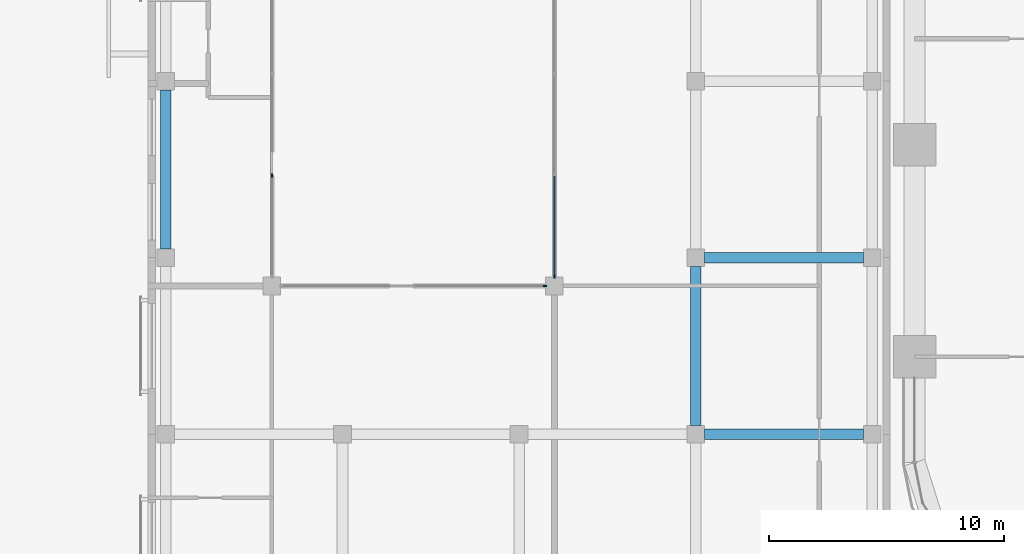
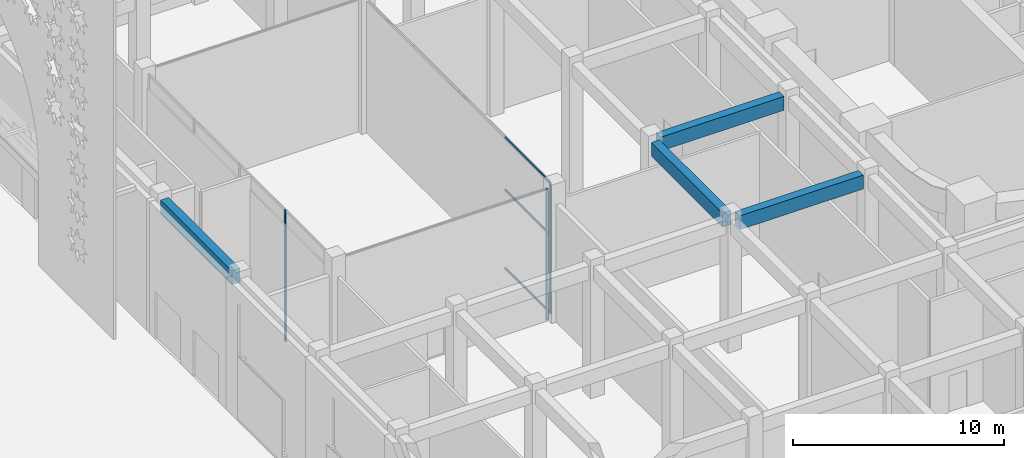
# One storey, part 8 of 64: 6 members, 4 beams, 3 elements without a shape of their own.
"""IFC4 building model written with IfcOpenShell, lengths in metres."""

from ifc_helpers import new_model, si_unit, direction, frame, origin, origin_2d, place, context, subcontext, project, spatial, rectangle, extrude, material, layer, layer_set, material_profile, profile_set, type_object, element, aggregate, save


model = new_model("IFC4")

# Units and contexts
model_context = context("Model", 3, precision=1e-05, world=origin(), true_north=direction((0.0, 1.0)))
body_context = subcontext(model_context, "Body", "Model", "MODEL_VIEW")
ifc_project = project(units=[si_unit("LENGTHUNIT", "METRE"), si_unit("AREAUNIT", "SQUARE_METRE"), si_unit("VOLUMEUNIT", "CUBIC_METRE"), si_unit("PLANEANGLEUNIT", "RADIAN"), si_unit("MASSUNIT", "GRAM", prefix="KILO")], contexts=[model_context])

# Site, building, storey
site_placement = place(None, origin())
site = spatial("IfcSite", under=ifc_project, at=site_placement, CompositionType="ELEMENT")
building_placement = place(site_placement, origin())
building = spatial("IfcBuilding", under=site, at=building_placement, Name="Tessera Arch", CompositionType="ELEMENT")
storey_placement = place(building_placement, origin())
storey = spatial("IfcBuildingStorey", under=building, at=storey_placement, Name="L00", CompositionType="ELEMENT", Elevation=0.0)

# Curtain wall, member
ifc_material_1 = material(Name="Aluminium and clear glass", Category="aluminium")
ifc_layer = layer(ifc_material_1, 0.1201171875)
ifc_layer_set = layer_set([ifc_layer], Name="Courtyard curtain wall")
curtain_wall_type = type_object("IfcCurtainWallType", Name="Courtyard curtain wall", PredefinedType="NOTDEFINED", material=ifc_layer_set)
curtain_wall_1_placement = place(storey_placement, origin())
curtain_wall_1 = element("IfcCurtainWall", 1, at=curtain_wall_1_placement, inside=storey, type_object=curtain_wall_type, Name="Courtyard curtain wall L00 1", PredefinedType="NOTDEFINED")
ifc_material_2 = material(Name="Aluminium alloy anodised", Category="aluminium")
ifc_material_profile_1 = material_profile(ifc_material_2, rectangle(XDim=0.06005859375, YDim=0.14990234375, at=origin_2d()), Name="Courtyard mullion")
ifc_profile_set_1 = profile_set([ifc_material_profile_1], Name="Aluminium alloy anodised")
member_type_1 = type_object("IfcMemberType", Name="Courtyard mullion", PredefinedType="MULLION", material=ifc_profile_set_1)
member_1_placement = place(storey_placement, frame((-15.705078125, 12.0, 0.0), z_axis=(0.0, 0.0, 1.0), x_axis=(0.0, 1.0, 0.0)))
member_1 = element("IfcMember", 2, at=member_1_placement, type_object=member_type_1, Name="MCW1 mullion 3", PredefinedType="MULLION", context=body_context, shape_type="SweptSolid", body=[
    extrude(rectangle(XDim=0.06005859375, YDim=0.14990234375, at=origin_2d()), origin(), (0.0, 0.0, 1.0), 7.590087890625),
])
aggregate(curtain_wall_1, [member_1])

curtain_wall_2_placement = place(storey_placement, origin())
curtain_wall_2 = element("IfcCurtainWall", 3, at=curtain_wall_2_placement, inside=storey, type_object=curtain_wall_type, Name="Courtyard curtain wall L00 2", PredefinedType="NOTDEFINED")
member_2_placement = place(storey_placement, frame((-15.300048828125, 12.405029296875, 0.0), z_axis=(0.0, 0.0, 1.0), x_axis=(-1.0, 0.0, 0.0)))
member_2 = element("IfcMember", 4, at=member_2_placement, type_object=member_type_1, Name="MCW1 mullion 1", PredefinedType="MULLION", context=body_context, shape_type="SweptSolid", body=[
    extrude(rectangle(XDim=0.06005859375, YDim=0.14990234375, at=origin_2d()), origin(), (0.0, 0.0, 1.0), 7.590087890625),
])

curtain_wall_3_placement = place(storey_placement, origin())
curtain_wall_3 = element("IfcCurtainWall", 5, at=curtain_wall_3_placement, inside=storey, type_object=curtain_wall_type, Name="Courtyard curtain wall L00 4", PredefinedType="NOTDEFINED")
member_3_placement = place(storey_placement, frame((-27.300048828125, 16.6875, 0.0), z_axis=(0.0, 0.0, 1.0), x_axis=(1.0, 0.0, 0.0)))
member_3 = element("IfcMember", 6, at=member_3_placement, type_object=member_type_1, Name="MCW1 mullion 4", PredefinedType="MULLION", context=body_context, shape_type="SweptSolid", body=[
    extrude(rectangle(XDim=0.06005859375, YDim=0.14990234375, at=origin_2d()), origin(), (0.0, 0.0, 1.0), 7.590087890625),
])
aggregate(curtain_wall_3, [member_3])

# Member
ifc_material_3 = material(Name="Aluminium alloy anodised", Category="aluminium")
ifc_material_profile_2 = material_profile(ifc_material_3, rectangle(XDim=0.06005859375, YDim=0.1201171875, at=origin_2d()), Name="Courtyard transom")
ifc_profile_set_2 = profile_set([ifc_material_profile_2], Name="Aluminium alloy anodised")
member_type_2 = type_object("IfcMemberType", Name="Courtyard transom", PredefinedType="USERDEFINED", material=ifc_profile_set_2)
member_4_placement = place(storey_placement, frame((-15.300048828125, 12.43505859375, 0.030029296875), z_axis=(0.0, 1.0, 0.0), x_axis=(-1.0, 0.0, 0.0)))
member_4 = element("IfcMember", 7, at=member_4_placement, type_object=member_type_2, Name="MCW1 transom 1.1", ObjectType="TRANSOM", PredefinedType="USERDEFINED", context=body_context, shape_type="SweptSolid", body=[
    extrude(rectangle(XDim=0.06005859375, YDim=0.1201171875, at=origin_2d()), origin(), (0.0, 0.0, 1.0), 4.222412109375),
])

member_5_placement = place(storey_placement, frame((-15.300048828125, 12.43505859375, 4.553955078125), z_axis=(0.0, 1.0, 0.0), x_axis=(-1.0, 0.0, 0.0)))
member_5 = element("IfcMember", 8, at=member_5_placement, type_object=member_type_2, Name="MCW1 transom 1.2", ObjectType="TRANSOM", PredefinedType="USERDEFINED", context=body_context, shape_type="SweptSolid", body=[
    extrude(rectangle(XDim=0.06005859375, YDim=0.1201171875, at=origin_2d()), origin(), (0.0, 0.0, 1.0), 4.222412109375),
])

member_6_placement = place(storey_placement, frame((-15.300048828125, 12.43505859375, 7.56005859375), z_axis=(0.0, 1.0, 0.0), x_axis=(-1.0, 0.0, 0.0)))
member_6 = element("IfcMember", 9, at=member_6_placement, type_object=member_type_2, Name="MCW1 transom 1.3", ObjectType="TRANSOM", PredefinedType="USERDEFINED", context=body_context, shape_type="SweptSolid", body=[
    extrude(rectangle(XDim=0.06005859375, YDim=0.1201171875, at=origin_2d()), origin(), (0.0, 0.0, 1.0), 4.222412109375),
])

aggregate(curtain_wall_2, [member_2, member_4, member_5, member_6])

# Beams
ifc_material_4 = material(Name="Concrete C40/50", Category="concrete")
ifc_material_profile_3 = material_profile(ifc_material_4, rectangle(XDim=0.449951171875, YDim=0.800048828125, at=origin_2d()), Name="Museum beam 450 x 800 Concrete C40/50")
ifc_profile_set_3 = profile_set([ifc_material_profile_3], Name="Concrete C40/50")
beam_type = type_object("IfcBeamType", Name="Museum beam 450 x 800 Concrete C40/50", PredefinedType="BEAM", material=ifc_profile_set_3)
for number, where, z_axis, x_axis, name in (
    (10, (-31.800048828125, 13.574951171875, 7.18994140625), (0.0, 1.0, 0.0), (-1.0, 0.0, 0.0), "Museum beam L00 6"),
    (11, (-9.300048828125, 6.074951171875, 7.18994140625), (0.0, 1.0, 0.0), (-1.0, 0.0, 0.0), "Museum beam L00 27"),
    (12, (-8.925048828125, 5.699951171875, 7.18994140625), (1.0, 0.0, 0.0), (0.0, 1.0, 0.0), "Museum beam L00 72"),
    (13, (-8.925048828125, 13.199951171875, 7.18994140625), (1.0, 0.0, 0.0), (0.0, 1.0, 0.0), "Museum beam L00 73"),
):
    element("IfcBeam", number, at=place(storey_placement, frame(where, z_axis=z_axis, x_axis=x_axis)), inside=storey, type_object=beam_type, Name=name, PredefinedType="BEAM", context=body_context, shape_type="SweptSolid", body=[
        extrude(rectangle(XDim=0.449951171875, YDim=0.800048828125, at=origin_2d()), origin(), (0.0, 0.0, 1.0), 6.75),
    ])

save(model, "model.ifc")
